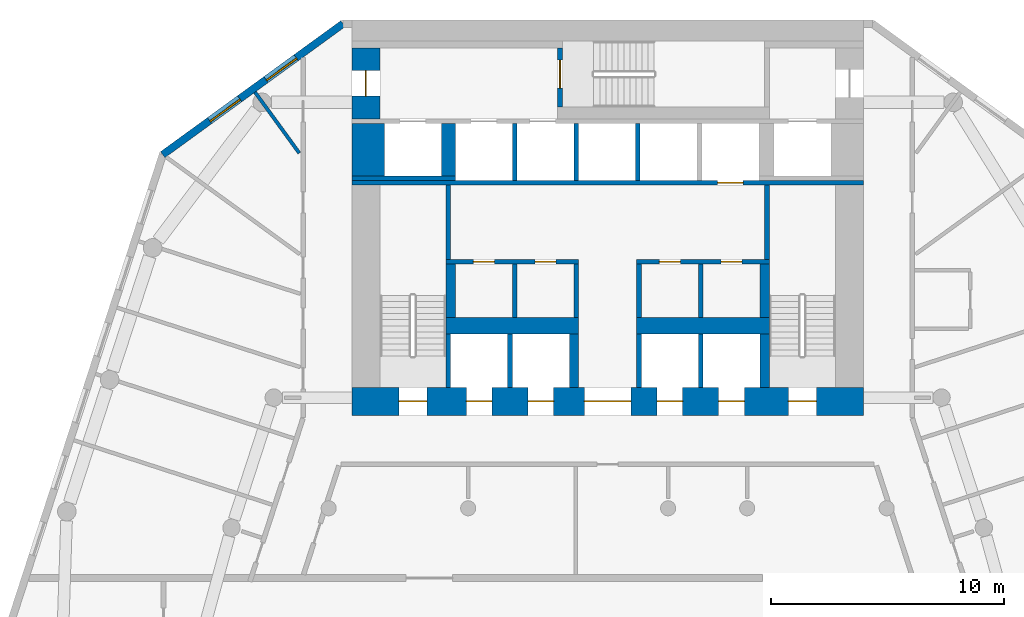
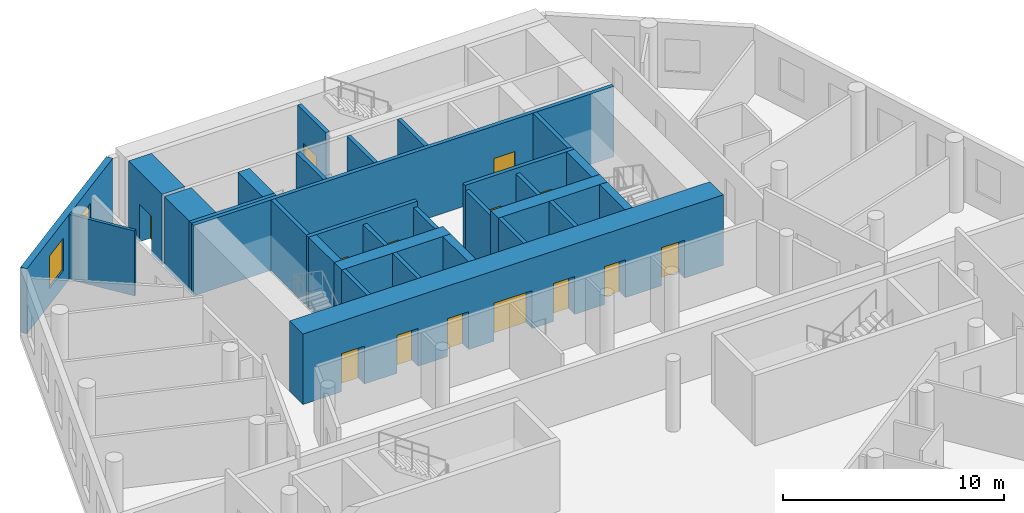
# One storey, part 5 of 9: 30 walls, 14 doors, 2 windows, 16 openings.
"""IFC4 building model written with IfcOpenShell, lengths in metres."""

from ifc_helpers import new_model, si_unit, direction, frame, frame_2d, origin, place, context, subcontext, project, spatial, rectangle, extrude, material, layer, layer_set, type_object, element, fill, save


model = new_model("IFC4")

# Units and contexts
model_context = context("Model", 3, precision=1e-05, world=origin(), true_north=direction((0.0, 1.0)))
body_context = subcontext(model_context, "Body", "Model", "MODEL_VIEW")
ifc_project = project(units=[si_unit("LENGTHUNIT", "METRE"), si_unit("AREAUNIT", "SQUARE_METRE"), si_unit("VOLUMEUNIT", "CUBIC_METRE"), si_unit("PLANEANGLEUNIT", "RADIAN"), si_unit("MASSUNIT", "GRAM", prefix="KILO")], contexts=[model_context])

# Site, building, storey
site_placement = place(None, origin())
site = spatial("IfcSite", under=ifc_project, at=site_placement, CompositionType="ELEMENT")
building_placement = place(site_placement, origin())
building = spatial("IfcBuilding", under=site, at=building_placement, Name="White Candle Pilgrim Tower", CompositionType="ELEMENT")
storey_placement = place(building_placement, frame((0.0, 0.0, 46.800048828125)))
storey = spatial("IfcBuildingStorey", under=building, at=storey_placement, Name="L08", CompositionType="ELEMENT", Elevation=46.800048828125)

# Wall, opening, door
ifc_material_1 = material(Name="Concrete C70/85", Category="concrete")
ifc_layer_1 = layer(ifc_material_1, 1.199951171875)
ifc_layer_set_1 = layer_set([ifc_layer_1], Name="Core wall 1200 mm Concrete C70/85")
wall_type_1 = type_object("IfcWallType", Name="Core wall 1200 mm Concrete C70/85", PredefinedType="SHEAR", material=ifc_layer_set_1)
wall_1_placement = place(storey_placement, frame((59.60009765625, 83.75, 0.0), z_axis=(0.0, 0.0, 1.0), x_axis=(0.0, 1.0, 0.0)))
wall_1 = element("IfcWall", 1, at=wall_1_placement, inside=storey, type_object=wall_type_1, Name="WL-L08-C44", PredefinedType="SHEAR", context=body_context, shape_type="SweptSolid", body=[
    extrude(rectangle(XDim=3.050048828125, YDim=1.199951171875, at=frame_2d((1.52490234375, 0.0))), origin(), (0.0, 0.0, 1.0), 3.89990234375),
])
opening_1_placement = place(wall_1_placement, frame((0.97509765625, 0.0, 0.0)))
opening_1 = element("IfcOpeningElement", 2, at=opening_1_placement, cuts=wall_1, Name="Opening T02-005", PredefinedType="OPENING", context=body_context, shape_type="SweptSolid", body=[
    extrude(rectangle(XDim=1.10009765625, YDim=2.10009765625, at=frame_2d((0.550048828125, 1.050048828125))), frame((0.0, 0.60986328125, 0.0), z_axis=(0.0, -1.0, 0.0), x_axis=(1.0, 0.0, 0.0)), (0.0, 0.0, 1.0), 1.219970703125),
])
ifc_material_2 = material(Name="Steel door leaf", Category="steel")
door_type_1 = type_object("IfcDoorType", Name="Fire door 1100 x 2100 EI 60", OperationType="NOTDEFINED", PredefinedType="DOOR", material=ifc_material_2)
door_1_placement = place(opening_1_placement, origin())
door_1 = element("IfcDoor", 3, at=door_1_placement, inside=storey, type_object=door_type_1, Name="Door T02-005", OperationType="SINGLE_SWING_LEFT", OverallHeight=2.10009765625, OverallWidth=1.10009765625, PredefinedType="DOOR", context=body_context, shape_type="SweptSolid", body=[
    extrude(rectangle(XDim=1.10009765625, YDim=2.10009765625, at=frame_2d((0.550048828125, 1.050048828125))), frame((0.0, 0.02490234375, 0.0), z_axis=(0.0, -1.0, 0.0), x_axis=(1.0, 0.0, 0.0)), (0.0, 0.0, 1.0), 0.050048828125),
])
fill(opening_1, door_1)

# Walls
ifc_layer_2 = layer(ifc_material_1, 1.39990234375)
ifc_layer_set_2 = layer_set([ifc_layer_2], Name="Core wall 1400 mm Concrete C70/85")
wall_type_2 = type_object("IfcWallType", Name="Core wall 1400 mm Concrete C70/85", PredefinedType="SHEAR", material=ifc_layer_set_2)
wall_2_placement = place(storey_placement, frame((59.699951171875, 81.300048828125, 0.0), z_axis=(0.0, 0.0, 1.0), x_axis=(0.0, 1.0, 0.0)))
element("IfcWall", 4, at=wall_2_placement, inside=storey, type_object=wall_type_2, Name="WL-L08-C39", PredefinedType="SHEAR", context=body_context, shape_type="SweptSolid", body=[
    extrude(rectangle(XDim=2.25, YDim=1.39990234375, at=frame_2d((1.125, 0.0))), origin(), (0.0, 0.0, 1.0), 3.89990234375),
])
ifc_layer_3 = layer(ifc_material_1, 0.199951171875)
ifc_layer_set_3 = layer_set([ifc_layer_3], Name="Core wall 200 mm Concrete C70/85")
wall_type_3 = type_object("IfcWallType", Name="Core wall 200 mm Concrete C70/85", PredefinedType="SHEAR", material=ifc_layer_set_3)
wall_3_placement = place(storey_placement, frame((59.0, 81.199951171875, 0.0), z_axis=(0.0, 0.0, 1.0), x_axis=(1.0, 0.0, 0.0)))
element("IfcWall", 5, at=wall_3_placement, inside=storey, type_object=wall_type_3, Name="WL-L08-C33", PredefinedType="SHEAR", context=body_context, shape_type="SweptSolid", body=[
    extrude(rectangle(XDim=4.449951171875, YDim=0.199951171875, at=frame_2d((2.22509765625, 0.0))), origin(), (0.0, 0.0, 1.0), 3.89990234375),
])

# Wall, openings, windows
ifc_material_3 = material(Name="Precast concrete C40/50", Category="concrete")
ifc_layer_4 = layer(ifc_material_3, 0.320068359375)
ifc_layer_set_4 = layer_set([ifc_layer_4], Name="Facade wall EW1 precast concrete C40/50 pier wall with timber-lined reveals")
wall_type_4 = type_object("IfcWallType", Name="Facade wall EW1 precast concrete C40/50 pier wall with timber-lined reveals", PredefinedType="SOLIDWALL", material=ifc_layer_set_4)
wall_4_placement = place(storey_placement, frame((58.614990234375, 87.840087890625, 0.0), z_axis=(0.0, 0.0, 1.0), x_axis=(-0.809021430096, -0.587779146998, 0.0)))
wall_4 = element("IfcWall", 6, at=wall_4_placement, inside=storey, type_object=wall_type_4, Name="Facade wall L08 NW chamfer", PredefinedType="SOLIDWALL", context=body_context, shape_type="SweptSolid", body=[
    extrude(rectangle(XDim=9.57958984375, YDim=0.320068359375, at=frame_2d((4.789794921875, 0.0))), origin(), (0.0, 0.0, 1.0), 3.599853515625),
])
opening_2_placement = place(wall_4_placement, frame((2.48974609375, 0.0, 0.89990234375)))
opening_2 = element("IfcOpeningElement", 7, at=opening_2_placement, cuts=wall_4, Name="Opening W2", PredefinedType="OPENING", context=body_context, shape_type="SweptSolid", body=[
    extrude(rectangle(XDim=1.60009765625, YDim=1.800048828125, at=frame_2d((0.800048828125, 0.89990234375))), frame((0.0, 0.169921875, 0.0), z_axis=(0.0, -1.0, 0.0), x_axis=(1.0, 0.0, 0.0)), (0.0, 0.0, 1.0), 0.340087890625),
])
opening_3_placement = place(wall_4_placement, frame((5.48974609375, 0.0, 0.89990234375)))
opening_3 = element("IfcOpeningElement", 8, at=opening_3_placement, cuts=wall_4, Name="Opening W2", PredefinedType="OPENING", context=body_context, shape_type="SweptSolid", body=[
    extrude(rectangle(XDim=1.60009765625, YDim=1.800048828125, at=frame_2d((0.800048828125, 0.89990234375))), frame((0.0, 0.169921875, 0.0), z_axis=(0.0, -1.0, 0.0), x_axis=(1.0, 0.0, 0.0)), (0.0, 0.0, 1.0), 0.340087890625),
])
ifc_material_4 = material(Name="Timber frame with triple glazing", Category="wood")
window_type = type_object("IfcWindowType", Name="Window W2 1600x1800 timber frame triple glazing", PartitioningType="SINGLE_PANEL", PredefinedType="WINDOW", material=ifc_material_4)
window_1_placement = place(opening_2_placement, origin())
window_1 = element("IfcWindow", 9, at=window_1_placement, inside=storey, type_object=window_type, Name="Window W2 L08 NW chamfer 1", OverallHeight=1.800048828125, OverallWidth=1.60009765625, PartitioningType="SINGLE_PANEL", PredefinedType="WINDOW", context=body_context, shape_type="SweptSolid", body=[
    extrude(rectangle(XDim=1.60009765625, YDim=1.800048828125, at=frame_2d((0.800048828125, 0.89990234375))), frame((0.0, 0.070068359375, 0.0), z_axis=(0.0, -1.0, 0.0), x_axis=(1.0, 0.0, 0.0)), (0.0, 0.0, 1.0), 0.06005859375),
])
fill(opening_2, window_1)
window_2_placement = place(opening_3_placement, origin())
window_2 = element("IfcWindow", 10, at=window_2_placement, inside=storey, type_object=window_type, Name="Window W2 L08 NW chamfer 2", OverallHeight=1.800048828125, OverallWidth=1.60009765625, PartitioningType="SINGLE_PANEL", PredefinedType="WINDOW", context=body_context, shape_type="SweptSolid", body=[
    extrude(rectangle(XDim=1.60009765625, YDim=1.800048828125, at=frame_2d((0.800048828125, 0.89990234375))), frame((0.0, 0.070068359375, 0.0), z_axis=(0.0, -1.0, 0.0), x_axis=(1.0, 0.0, 0.0)), (0.0, 0.0, 1.0), 0.06005859375),
])
fill(opening_3, window_2)

# Walls
ifc_material_5 = material(Name="Gypsum board on steel studs", Category="steel")
ifc_layer_5 = layer(ifc_material_5, 0.199951171875)
ifc_layer_set_5 = layer_set([ifc_layer_5], Name="Lobby wall 200 mm EI 60")
wall_type_5 = type_object("IfcWallType", Name="Lobby wall 200 mm EI 60", PredefinedType="PARTITIONING", material=ifc_layer_set_5)
for number, where, z_axis, x_axis, name in (
    (11, (66.0, 75.199951171875, 0.0), (0.0, 0.0, 1.0), (0.0, 1.0, 0.0), "WL-L08-C23"),
    (12, (68.64990234375, 75.199951171875, 0.0), (0.0, 0.0, 1.0), (0.0, 1.0, 0.0), "WL-L08-C24"),
    (13, (71.35009765625, 75.199951171875, 0.0), (0.0, 0.0, 1.0), (0.0, 1.0, 0.0), "WL-L08-C25"),
    (14, (74.0, 75.199951171875, 0.0), (0.0, 0.0, 1.0), (0.0, 1.0, 0.0), "WL-L08-C26"),
):
    element("IfcWall", number, at=place(storey_placement, frame(where, z_axis=z_axis, x_axis=x_axis)), inside=storey, type_object=wall_type_5, Name=name, PredefinedType="PARTITIONING", context=body_context, shape_type="SweptSolid", body=[
        extrude(rectangle(XDim=2.300048828125, YDim=0.199951171875, at=frame_2d((1.14990234375, 0.0))), origin(), (0.0, 0.0, 1.0), 3.599853515625),
    ])
ifc_layer_6 = layer(ifc_material_5, 0.14990234375)
ifc_layer_set_6 = layer_set([ifc_layer_6], Name="Partition 150 mm EI 60")
wall_type_6 = type_object("IfcWallType", Name="Partition 150 mm EI 60", PredefinedType="PARTITIONING", material=ifc_layer_set_6)
wall_5_placement = place(storey_placement, frame((54.833984375, 84.895263671875, 0.0), z_axis=(0.0, 0.0, 1.0), x_axis=(0.587795442354, -0.809009590764, 0.0)))
element("IfcWall", 15, at=wall_5_placement, inside=storey, type_object=wall_type_6, Name="WL-L08-P024", PredefinedType="PARTITIONING", context=body_context, shape_type="SweptSolid", body=[
    extrude(rectangle(XDim=3.241455078125, YDim=0.14990234375, at=frame_2d((1.62060546875, 0.0))), origin(), (0.0, 0.0, 1.0), 3.599853515625),
])
ifc_layer_7 = layer(ifc_material_1, 0.199951171875)
ifc_layer_set_7 = layer_set([ifc_layer_7], Name="Shaft wall 200 mm Concrete C70/85")
wall_type_7 = type_object("IfcWallType", Name="Shaft wall 200 mm Concrete C70/85", PredefinedType="SHEAR", material=ifc_layer_set_7)
for number, where, z_axis, x_axis, name in (
    (16, (65.800048828125, 72.199951171875, 0.0), (0.0, 0.0, 1.0), (0.0, 1.0, 0.0), "WL-L08-C14"),
    (17, (71.35009765625, 72.199951171875, 0.0), (0.0, 0.0, 1.0), (0.0, 1.0, 0.0), "WL-L08-C16"),
    (18, (74.0, 72.199951171875, 0.0), (0.0, 0.0, 1.0), (0.0, 1.0, 0.0), "WL-L08-C17"),
):
    element("IfcWall", number, at=place(storey_placement, frame(where, z_axis=z_axis, x_axis=x_axis)), inside=storey, type_object=wall_type_7, Name=name, PredefinedType="SHEAR", context=body_context, shape_type="SweptSolid", body=[
        extrude(rectangle(XDim=2.300048828125, YDim=0.199951171875, at=frame_2d((1.14990234375, 0.0))), origin(), (0.0, 0.0, 1.0), 3.89990234375),
    ])
for number, where, z_axis, x_axis, name in (
    (19, (66.0, 81.10009765625, 0.0), (0.0, 0.0, 1.0), (0.0, 1.0, 0.0), "WL-L08-C34"),
    (20, (68.64990234375, 81.10009765625, 0.0), (0.0, 0.0, 1.0), (0.0, 1.0, 0.0), "WL-L08-C35"),
    (21, (71.300048828125, 81.10009765625, 0.0), (0.0, 0.0, 1.0), (0.0, 1.0, 0.0), "WL-L08-C36"),
):
    element("IfcWall", number, at=place(storey_placement, frame(where, z_axis=z_axis, x_axis=x_axis)), inside=storey, type_object=wall_type_7, Name=name, PredefinedType="SHEAR", context=body_context, shape_type="SweptSolid", body=[
        extrude(rectangle(XDim=2.449951171875, YDim=0.199951171875, at=frame_2d((1.22509765625, 0.0))), origin(), (0.0, 0.0, 1.0), 3.89990234375),
    ])
ifc_layer_8 = layer(ifc_material_1, 0.39990234375)
ifc_layer_set_8 = layer_set([ifc_layer_8], Name="Shaft wall 400 mm Concrete C70/85")
wall_type_8 = type_object("IfcWallType", Name="Shaft wall 400 mm Concrete C70/85", PredefinedType="SHEAR", material=ifc_layer_set_8)
wall_6_placement = place(storey_placement, frame((68.550048828125, 72.199951171875, 0.0), z_axis=(0.0, 0.0, 1.0), x_axis=(0.0, 1.0, 0.0)))
element("IfcWall", 22, at=wall_6_placement, inside=storey, type_object=wall_type_8, Name="WL-L08-C15", PredefinedType="SHEAR", context=body_context, shape_type="SweptSolid", body=[
    extrude(rectangle(XDim=2.300048828125, YDim=0.39990234375, at=frame_2d((1.14990234375, 0.0))), origin(), (0.0, 0.0, 1.0), 3.89990234375),
])
ifc_layer_9 = layer(ifc_material_1, 0.60009765625)
ifc_layer_set_9 = layer_set([ifc_layer_9], Name="Shaft wall 600 mm Concrete C70/85")
wall_type_9 = type_object("IfcWallType", Name="Shaft wall 600 mm Concrete C70/85", PredefinedType="SHEAR", material=ifc_layer_set_9)
wall_7_placement = place(storey_placement, frame((63.14990234375, 81.300048828125, 0.0), z_axis=(0.0, 0.0, 1.0), x_axis=(0.0, 1.0, 0.0)))
element("IfcWall", 23, at=wall_7_placement, inside=storey, type_object=wall_type_9, Name="WL-L08-C40", PredefinedType="SHEAR", context=body_context, shape_type="SweptSolid", body=[
    extrude(rectangle(XDim=2.25, YDim=0.60009765625, at=frame_2d((1.125, 0.0))), origin(), (0.0, 0.0, 1.0), 3.89990234375),
])

# Wall, openings, doors
ifc_layer_10 = layer(ifc_material_1, 1.199951171875)
ifc_layer_set_10 = layer_set([ifc_layer_10], Name="Stair shaft wall 1200 mm Concrete C70/85")
wall_type_10 = type_object("IfcWallType", Name="Stair shaft wall 1200 mm Concrete C70/85", PredefinedType="SHEAR", material=ifc_layer_set_10)
wall_8_placement = place(storey_placement, frame((59.0, 71.60009765625, 0.0), z_axis=(0.0, 0.0, 1.0), x_axis=(1.0, 0.0, 0.0)))
wall_8 = element("IfcWall", 24, at=wall_8_placement, inside=storey, type_object=wall_type_10, Name="WL-L08-C11", PredefinedType="SHEAR", context=body_context, shape_type="SweptSolid", body=[
    extrude(rectangle(XDim=22.0, YDim=1.199951171875, at=frame_2d((11.0, 0.0))), origin(), (0.0, 0.0, 1.0), 3.89990234375),
])
opening_4_placement = place(wall_8_placement, frame((2.02490234375, 0.0, 0.0)))
opening_4 = element("IfcOpeningElement", 25, at=opening_4_placement, cuts=wall_8, Name="Opening T02-001", PredefinedType="OPENING", context=body_context, shape_type="SweptSolid", body=[
    extrude(rectangle(XDim=1.199951171875, YDim=2.10009765625, at=frame_2d((0.60009765625, 1.050048828125))), frame((0.0, 0.60986328125, 0.0), z_axis=(0.0, -1.0, 0.0), x_axis=(1.0, 0.0, 0.0)), (0.0, 0.0, 1.0), 1.219970703125),
])
opening_5_placement = place(wall_8_placement, frame((18.77490234375, 0.0, 0.0)))
opening_5 = element("IfcOpeningElement", 26, at=opening_5_placement, cuts=wall_8, Name="Opening T02-002", PredefinedType="OPENING", context=body_context, shape_type="SweptSolid", body=[
    extrude(rectangle(XDim=1.199951171875, YDim=2.10009765625, at=frame_2d((0.60009765625, 1.050048828125))), frame((0.0, 0.60986328125, 0.0), z_axis=(0.0, -1.0, 0.0), x_axis=(1.0, 0.0, 0.0)), (0.0, 0.0, 1.0), 1.219970703125),
])
opening_6_placement = place(wall_8_placement, frame((10.0, 0.0, 0.0)))
opening_6 = element("IfcOpeningElement", 27, at=opening_6_placement, cuts=wall_8, Name="Opening T02-004", PredefinedType="OPENING", context=body_context, shape_type="SweptSolid", body=[
    extrude(rectangle(XDim=2.0, YDim=2.10009765625, at=frame_2d((1.0, 1.050048828125))), frame((0.0, 0.60986328125, 0.0), z_axis=(0.0, -1.0, 0.0), x_axis=(1.0, 0.0, 0.0)), (0.0, 0.0, 1.0), 1.219970703125),
])
opening_7_placement = place(wall_8_placement, frame((4.925048828125, 0.0, 0.0)))
opening_7 = element("IfcOpeningElement", 28, at=opening_7_placement, cuts=wall_8, Name="Opening T02-014", PredefinedType="OPENING", context=body_context, shape_type="SweptSolid", body=[
    extrude(rectangle(XDim=1.10009765625, YDim=2.10009765625, at=frame_2d((0.550048828125, 1.050048828125))), frame((0.0, 0.60986328125, 0.0), z_axis=(0.0, -1.0, 0.0), x_axis=(1.0, 0.0, 0.0)), (0.0, 0.0, 1.0), 1.219970703125),
])
opening_8_placement = place(wall_8_placement, frame((7.574951171875, 0.0, 0.0)))
opening_8 = element("IfcOpeningElement", 29, at=opening_8_placement, cuts=wall_8, Name="Opening T02-015", PredefinedType="OPENING", context=body_context, shape_type="SweptSolid", body=[
    extrude(rectangle(XDim=1.10009765625, YDim=2.10009765625, at=frame_2d((0.550048828125, 1.050048828125))), frame((0.0, 0.60986328125, 0.0), z_axis=(0.0, -1.0, 0.0), x_axis=(1.0, 0.0, 0.0)), (0.0, 0.0, 1.0), 1.219970703125),
])
opening_9_placement = place(wall_8_placement, frame((13.125, 0.0, 0.0)))
opening_9 = element("IfcOpeningElement", 30, at=opening_9_placement, cuts=wall_8, Name="Opening T02-016", PredefinedType="OPENING", context=body_context, shape_type="SweptSolid", body=[
    extrude(rectangle(XDim=1.10009765625, YDim=2.10009765625, at=frame_2d((0.550048828125, 1.050048828125))), frame((0.0, 0.60986328125, 0.0), z_axis=(0.0, -1.0, 0.0), x_axis=(1.0, 0.0, 0.0)), (0.0, 0.0, 1.0), 1.219970703125),
])
opening_10_placement = place(wall_8_placement, frame((15.77490234375, 0.0, 0.0)))
opening_10 = element("IfcOpeningElement", 31, at=opening_10_placement, cuts=wall_8, Name="Opening T02-017", PredefinedType="OPENING", context=body_context, shape_type="SweptSolid", body=[
    extrude(rectangle(XDim=1.10009765625, YDim=2.10009765625, at=frame_2d((0.550048828125, 1.050048828125))), frame((0.0, 0.60986328125, 0.0), z_axis=(0.0, -1.0, 0.0), x_axis=(1.0, 0.0, 0.0)), (0.0, 0.0, 1.0), 1.219970703125),
])
door_type_2 = type_object("IfcDoorType", Name="Fire door 1200 x 2100 EI 60", OperationType="NOTDEFINED", PredefinedType="DOOR", material=ifc_material_2)
door_2_placement = place(opening_4_placement, frame((1.199951171875, 0.0, 0.0), z_axis=(0.0, 0.0, 1.0), x_axis=(-1.0, 0.0, 0.0)))
door_2 = element("IfcDoor", 32, at=door_2_placement, inside=storey, type_object=door_type_2, Name="Door T02-001", OperationType="SINGLE_SWING_RIGHT", OverallHeight=2.10009765625, OverallWidth=1.199951171875, PredefinedType="DOOR", context=body_context, shape_type="SweptSolid", body=[
    extrude(rectangle(XDim=1.199951171875, YDim=2.10009765625, at=frame_2d((0.60009765625, 1.050048828125))), frame((0.0, 0.02490234375, 0.0), z_axis=(0.0, -1.0, 0.0), x_axis=(1.0, 0.0, 0.0)), (0.0, 0.0, 1.0), 0.050048828125),
])
fill(opening_4, door_2)
door_3_placement = place(opening_5_placement, frame((1.199951171875, 0.0, 0.0), z_axis=(0.0, 0.0, 1.0), x_axis=(-1.0, 0.0, 0.0)))
door_3 = element("IfcDoor", 33, at=door_3_placement, inside=storey, type_object=door_type_2, Name="Door T02-002", OperationType="SINGLE_SWING_LEFT", OverallHeight=2.10009765625, OverallWidth=1.199951171875, PredefinedType="DOOR", context=body_context, shape_type="SweptSolid", body=[
    extrude(rectangle(XDim=1.199951171875, YDim=2.10009765625, at=frame_2d((0.60009765625, 1.050048828125))), frame((0.0, 0.02490234375, 0.0), z_axis=(0.0, -1.0, 0.0), x_axis=(1.0, 0.0, 0.0)), (0.0, 0.0, 1.0), 0.050048828125),
])
fill(opening_5, door_3)
door_type_3 = type_object("IfcDoorType", Name="Fire door 2000 x 2100 EI 60", OperationType="NOTDEFINED", PredefinedType="DOOR", material=ifc_material_2)
door_4_placement = place(opening_6_placement, frame((2.0, 0.0, 0.0), z_axis=(0.0, 0.0, 1.0), x_axis=(-1.0, 0.0, 0.0)))
door_4 = element("IfcDoor", 34, at=door_4_placement, inside=storey, type_object=door_type_3, Name="Door T02-004", OperationType="DOUBLE_DOOR_SINGLE_SWING", OverallHeight=2.10009765625, OverallWidth=2.0, PredefinedType="DOOR", context=body_context, shape_type="SweptSolid", body=[
    extrude(rectangle(XDim=2.0, YDim=2.10009765625, at=frame_2d((1.0, 1.050048828125))), frame((0.0, 0.02490234375, 0.0), z_axis=(0.0, -1.0, 0.0), x_axis=(1.0, 0.0, 0.0)), (0.0, 0.0, 1.0), 0.050048828125),
])
fill(opening_6, door_4)
ifc_material_6 = material(Name="Stainless steel", Category="steel")
door_type_4 = type_object("IfcDoorType", Name="Lift landing door 1100 x 2100 E 60", OperationType="DOUBLE_DOOR_SLIDING", PredefinedType="DOOR", material=ifc_material_6)
door_5_placement = place(opening_7_placement, origin())
door_5 = element("IfcDoor", 35, at=door_5_placement, inside=storey, type_object=door_type_4, Name="Door T02-014", OperationType="DOUBLE_DOOR_SLIDING", OverallHeight=2.10009765625, OverallWidth=1.10009765625, PredefinedType="DOOR", context=body_context, shape_type="SweptSolid", body=[
    extrude(rectangle(XDim=1.10009765625, YDim=2.10009765625, at=frame_2d((0.550048828125, 1.050048828125))), frame((0.0, 0.02490234375, 0.0), z_axis=(0.0, -1.0, 0.0), x_axis=(1.0, 0.0, 0.0)), (0.0, 0.0, 1.0), 0.050048828125),
])
fill(opening_7, door_5)
door_6_placement = place(opening_8_placement, origin())
door_6 = element("IfcDoor", 36, at=door_6_placement, inside=storey, type_object=door_type_4, Name="Door T02-015", OperationType="DOUBLE_DOOR_SLIDING", OverallHeight=2.10009765625, OverallWidth=1.10009765625, PredefinedType="DOOR", context=body_context, shape_type="SweptSolid", body=[
    extrude(rectangle(XDim=1.10009765625, YDim=2.10009765625, at=frame_2d((0.550048828125, 1.050048828125))), frame((0.0, 0.02490234375, 0.0), z_axis=(0.0, -1.0, 0.0), x_axis=(1.0, 0.0, 0.0)), (0.0, 0.0, 1.0), 0.050048828125),
])
fill(opening_8, door_6)
door_7_placement = place(opening_9_placement, origin())
door_7 = element("IfcDoor", 37, at=door_7_placement, inside=storey, type_object=door_type_4, Name="Door T02-016", OperationType="DOUBLE_DOOR_SLIDING", OverallHeight=2.10009765625, OverallWidth=1.10009765625, PredefinedType="DOOR", context=body_context, shape_type="SweptSolid", body=[
    extrude(rectangle(XDim=1.10009765625, YDim=2.10009765625, at=frame_2d((0.550048828125, 1.050048828125))), frame((0.0, 0.02490234375, 0.0), z_axis=(0.0, -1.0, 0.0), x_axis=(1.0, 0.0, 0.0)), (0.0, 0.0, 1.0), 0.050048828125),
])
fill(opening_9, door_7)
door_8_placement = place(opening_10_placement, origin())
door_8 = element("IfcDoor", 38, at=door_8_placement, inside=storey, type_object=door_type_4, Name="Door T02-017", OperationType="DOUBLE_DOOR_SLIDING", OverallHeight=2.10009765625, OverallWidth=1.10009765625, PredefinedType="DOOR", context=body_context, shape_type="SweptSolid", body=[
    extrude(rectangle(XDim=1.10009765625, YDim=2.10009765625, at=frame_2d((0.550048828125, 1.050048828125))), frame((0.0, 0.02490234375, 0.0), z_axis=(0.0, -1.0, 0.0), x_axis=(1.0, 0.0, 0.0)), (0.0, 0.0, 1.0), 0.050048828125),
])
fill(opening_10, door_8)

# Wall
ifc_layer_11 = layer(ifc_material_1, 0.199951171875)
ifc_layer_set_11 = layer_set([ifc_layer_11], Name="Stair shaft wall 200 mm Concrete C70/85")
wall_type_11 = type_object("IfcWallType", Name="Stair shaft wall 200 mm Concrete C70/85", PredefinedType="SHEAR", material=ifc_layer_set_11)
wall_9_placement = place(storey_placement, frame((63.14990234375, 72.199951171875, 0.0), z_axis=(0.0, 0.0, 1.0), x_axis=(0.0, 1.0, 0.0)))
element("IfcWall", 39, at=wall_9_placement, inside=storey, type_object=wall_type_11, Name="WL-L08-C13", PredefinedType="SHEAR", context=body_context, shape_type="SweptSolid", body=[
    extrude(rectangle(XDim=2.300048828125, YDim=0.199951171875, at=frame_2d((1.14990234375, 0.0))), origin(), (0.0, 0.0, 1.0), 3.89990234375),
])

# Wall, openings, doors
wall_10_placement = place(storey_placement, frame((63.050048828125, 77.60009765625, 0.0), z_axis=(0.0, 0.0, 1.0), x_axis=(1.0, 0.0, 0.0)))
wall_10 = element("IfcWall", 40, at=wall_10_placement, inside=storey, type_object=wall_type_11, Name="WL-L08-C28", PredefinedType="SHEAR", context=body_context, shape_type="SweptSolid", body=[
    extrude(rectangle(XDim=5.699951171875, YDim=0.199951171875, at=frame_2d((2.85009765625, 0.0))), origin(), (0.0, 0.0, 1.0), 3.89990234375),
])
opening_11_placement = place(wall_10_placement, frame((1.175048828125, 0.0, 0.0)))
opening_11 = element("IfcOpeningElement", 41, at=opening_11_placement, cuts=wall_10, Name="Opening T02-020", PredefinedType="OPENING", context=body_context, shape_type="SweptSolid", body=[
    extrude(rectangle(XDim=0.89990234375, YDim=2.10009765625, at=frame_2d((0.449951171875, 1.050048828125))), frame((0.0, 0.10986328125, 0.0), z_axis=(0.0, -1.0, 0.0), x_axis=(1.0, 0.0, 0.0)), (0.0, 0.0, 1.0), 0.219970703125),
])
opening_12_placement = place(wall_10_placement, frame((3.824951171875, 0.0, 0.0)))
opening_12 = element("IfcOpeningElement", 42, at=opening_12_placement, cuts=wall_10, Name="Opening T02-021", PredefinedType="OPENING", context=body_context, shape_type="SweptSolid", body=[
    extrude(rectangle(XDim=0.89990234375, YDim=2.10009765625, at=frame_2d((0.449951171875, 1.050048828125))), frame((0.0, 0.10986328125, 0.0), z_axis=(0.0, -1.0, 0.0), x_axis=(1.0, 0.0, 0.0)), (0.0, 0.0, 1.0), 0.219970703125),
])
door_type_5 = type_object("IfcDoorType", Name="Fire door 900 x 2100 EI 30", OperationType="NOTDEFINED", PredefinedType="DOOR", material=ifc_material_2)
door_9_placement = place(opening_11_placement, origin())
door_9 = element("IfcDoor", 43, at=door_9_placement, inside=storey, type_object=door_type_5, Name="Door T02-020", OperationType="SINGLE_SWING_RIGHT", OverallHeight=2.10009765625, OverallWidth=0.89990234375, PredefinedType="DOOR", context=body_context, shape_type="SweptSolid", body=[
    extrude(rectangle(XDim=0.89990234375, YDim=2.10009765625, at=frame_2d((0.449951171875, 1.050048828125))), frame((0.0, 0.02490234375, 0.0), z_axis=(0.0, -1.0, 0.0), x_axis=(1.0, 0.0, 0.0)), (0.0, 0.0, 1.0), 0.050048828125),
])
fill(opening_11, door_9)
door_10_placement = place(opening_12_placement, origin())
door_10 = element("IfcDoor", 44, at=door_10_placement, inside=storey, type_object=door_type_5, Name="Door T02-021", OperationType="SINGLE_SWING_LEFT", OverallHeight=2.10009765625, OverallWidth=0.89990234375, PredefinedType="DOOR", context=body_context, shape_type="SweptSolid", body=[
    extrude(rectangle(XDim=0.89990234375, YDim=2.10009765625, at=frame_2d((0.449951171875, 1.050048828125))), frame((0.0, 0.02490234375, 0.0), z_axis=(0.0, -1.0, 0.0), x_axis=(1.0, 0.0, 0.0)), (0.0, 0.0, 1.0), 0.050048828125),
])
fill(opening_12, door_10)

wall_11_placement = place(storey_placement, frame((71.25, 77.60009765625, 0.0), z_axis=(0.0, 0.0, 1.0), x_axis=(1.0, 0.0, 0.0)))
wall_11 = element("IfcWall", 45, at=wall_11_placement, inside=storey, type_object=wall_type_11, Name="WL-L08-C29", PredefinedType="SHEAR", context=body_context, shape_type="SweptSolid", body=[
    extrude(rectangle(XDim=5.699951171875, YDim=0.199951171875, at=frame_2d((2.85009765625, 0.0))), origin(), (0.0, 0.0, 1.0), 3.89990234375),
])
opening_13_placement = place(wall_11_placement, frame((0.97509765625, 0.0, 0.0)))
opening_13 = element("IfcOpeningElement", 46, at=opening_13_placement, cuts=wall_11, Name="Opening T02-022", PredefinedType="OPENING", context=body_context, shape_type="SweptSolid", body=[
    extrude(rectangle(XDim=0.89990234375, YDim=2.10009765625, at=frame_2d((0.449951171875, 1.050048828125))), frame((0.0, 0.10986328125, 0.0), z_axis=(0.0, -1.0, 0.0), x_axis=(1.0, 0.0, 0.0)), (0.0, 0.0, 1.0), 0.219970703125),
])
opening_14_placement = place(wall_11_placement, frame((3.625, 0.0, 0.0)))
opening_14 = element("IfcOpeningElement", 47, at=opening_14_placement, cuts=wall_11, Name="Opening T02-023", PredefinedType="OPENING", context=body_context, shape_type="SweptSolid", body=[
    extrude(rectangle(XDim=0.89990234375, YDim=2.10009765625, at=frame_2d((0.449951171875, 1.050048828125))), frame((0.0, 0.10986328125, 0.0), z_axis=(0.0, -1.0, 0.0), x_axis=(1.0, 0.0, 0.0)), (0.0, 0.0, 1.0), 0.219970703125),
])
door_11_placement = place(opening_13_placement, origin())
door_11 = element("IfcDoor", 48, at=door_11_placement, inside=storey, type_object=door_type_5, Name="Door T02-022", OperationType="SINGLE_SWING_RIGHT", OverallHeight=2.10009765625, OverallWidth=0.89990234375, PredefinedType="DOOR", context=body_context, shape_type="SweptSolid", body=[
    extrude(rectangle(XDim=0.89990234375, YDim=2.10009765625, at=frame_2d((0.449951171875, 1.050048828125))), frame((0.0, 0.02490234375, 0.0), z_axis=(0.0, -1.0, 0.0), x_axis=(1.0, 0.0, 0.0)), (0.0, 0.0, 1.0), 0.050048828125),
])
fill(opening_13, door_11)
door_12_placement = place(opening_14_placement, origin())
door_12 = element("IfcDoor", 49, at=door_12_placement, inside=storey, type_object=door_type_5, Name="Door T02-023", OperationType="SINGLE_SWING_LEFT", OverallHeight=2.10009765625, OverallWidth=0.89990234375, PredefinedType="DOOR", context=body_context, shape_type="SweptSolid", body=[
    extrude(rectangle(XDim=0.89990234375, YDim=2.10009765625, at=frame_2d((0.449951171875, 1.050048828125))), frame((0.0, 0.02490234375, 0.0), z_axis=(0.0, -1.0, 0.0), x_axis=(1.0, 0.0, 0.0)), (0.0, 0.0, 1.0), 0.050048828125),
])
fill(opening_14, door_12)

# Walls
for number, where, z_axis, x_axis, name in (
    (50, (63.14990234375, 77.699951171875, 0.0), (0.0, 0.0, 1.0), (0.0, 1.0, 0.0), "WL-L08-C30"),
    (51, (76.85009765625, 77.699951171875, 0.0), (0.0, 0.0, 1.0), (0.0, 1.0, 0.0), "WL-L08-C31"),
):
    element("IfcWall", number, at=place(storey_placement, frame(where, z_axis=z_axis, x_axis=x_axis)), inside=storey, type_object=wall_type_11, Name=name, PredefinedType="SHEAR", context=body_context, shape_type="SweptSolid", body=[
        extrude(rectangle(XDim=3.199951171875, YDim=0.199951171875, at=frame_2d((1.60009765625, 0.0))), origin(), (0.0, 0.0, 1.0), 3.89990234375),
    ])

# Wall, opening, door
wall_12_placement = place(storey_placement, frame((59.0, 81.0, 0.0), z_axis=(0.0, 0.0, 1.0), x_axis=(1.0, 0.0, 0.0)))
wall_12 = element("IfcWall", 52, at=wall_12_placement, inside=storey, type_object=wall_type_11, Name="WL-L08-C32", PredefinedType="SHEAR", context=body_context, shape_type="SweptSolid", body=[
    extrude(rectangle(XDim=22.0, YDim=0.199951171875, at=frame_2d((11.0, 0.0))), origin(), (0.0, 0.0, 1.0), 3.89990234375),
])
opening_15_placement = place(wall_12_placement, frame((15.72509765625, 0.0, 0.0)))
opening_15 = element("IfcOpeningElement", 53, at=opening_15_placement, cuts=wall_12, Name="Opening T02-013", PredefinedType="OPENING", context=body_context, shape_type="SweptSolid", body=[
    extrude(rectangle(XDim=1.10009765625, YDim=2.10009765625, at=frame_2d((0.550048828125, 1.050048828125))), frame((0.0, 0.10986328125, 0.0), z_axis=(0.0, -1.0, 0.0), x_axis=(1.0, 0.0, 0.0)), (0.0, 0.0, 1.0), 0.219970703125),
])
door_13_placement = place(opening_15_placement, origin())
door_13 = element("IfcDoor", 54, at=door_13_placement, inside=storey, type_object=door_type_4, Name="Door T02-013", OperationType="DOUBLE_DOOR_SLIDING", OverallHeight=2.10009765625, OverallWidth=1.10009765625, PredefinedType="DOOR", context=body_context, shape_type="SweptSolid", body=[
    extrude(rectangle(XDim=1.10009765625, YDim=2.10009765625, at=frame_2d((0.550048828125, 1.050048828125))), frame((0.0, 0.02490234375, 0.0), z_axis=(0.0, -1.0, 0.0), x_axis=(1.0, 0.0, 0.0)), (0.0, 0.0, 1.0), 0.050048828125),
])
fill(opening_15, door_13)

wall_13_placement = place(storey_placement, frame((67.949951171875, 84.25, 0.0), z_axis=(0.0, 0.0, 1.0), x_axis=(0.0, 1.0, 0.0)))
wall_13 = element("IfcWall", 55, at=wall_13_placement, inside=storey, type_object=wall_type_11, Name="WL-L08-C47", PredefinedType="SHEAR", context=body_context, shape_type="SweptSolid", body=[
    extrude(rectangle(XDim=2.550048828125, YDim=0.199951171875, at=frame_2d((1.27490234375, 0.0))), origin(), (0.0, 0.0, 1.0), 3.89990234375),
])
opening_16_placement = place(wall_13_placement, frame((0.824951171875, 0.0, 0.0)))
opening_16 = element("IfcOpeningElement", 56, at=opening_16_placement, cuts=wall_13, Name="Opening T02-003", PredefinedType="OPENING", context=body_context, shape_type="SweptSolid", body=[
    extrude(rectangle(XDim=1.199951171875, YDim=2.10009765625, at=frame_2d((0.60009765625, 1.050048828125))), frame((0.0, 0.10986328125, 0.0), z_axis=(0.0, -1.0, 0.0), x_axis=(1.0, 0.0, 0.0)), (0.0, 0.0, 1.0), 0.219970703125),
])
door_14_placement = place(opening_16_placement, frame((1.199951171875, 0.0, 0.0), z_axis=(0.0, 0.0, 1.0), x_axis=(-1.0, 0.0, 0.0)))
door_14 = element("IfcDoor", 57, at=door_14_placement, inside=storey, type_object=door_type_2, Name="Door T02-003", OperationType="SINGLE_SWING_RIGHT", OverallHeight=2.10009765625, OverallWidth=1.199951171875, PredefinedType="DOOR", context=body_context, shape_type="SweptSolid", body=[
    extrude(rectangle(XDim=1.199951171875, YDim=2.10009765625, at=frame_2d((0.60009765625, 1.050048828125))), frame((0.0, 0.02490234375, 0.0), z_axis=(0.0, -1.0, 0.0), x_axis=(1.0, 0.0, 0.0)), (0.0, 0.0, 1.0), 0.050048828125),
])
fill(opening_16, door_14)

# Walls
ifc_layer_12 = layer(ifc_material_1, 0.39990234375)
ifc_layer_set_12 = layer_set([ifc_layer_12], Name="Stair shaft wall 400 mm Concrete C70/85")
wall_type_12 = type_object("IfcWallType", Name="Stair shaft wall 400 mm Concrete C70/85", PredefinedType="SHEAR", material=ifc_layer_set_12)
for number, where, z_axis, x_axis, name in (
    (58, (76.75, 72.199951171875, 0.0), (0.0, 0.0, 1.0), (0.0, 1.0, 0.0), "WL-L08-C18"),
    (59, (63.25, 75.199951171875, 0.0), (0.0, 0.0, 1.0), (0.0, 1.0, 0.0), "WL-L08-C22"),
    (60, (76.75, 75.199951171875, 0.0), (0.0, 0.0, 1.0), (0.0, 1.0, 0.0), "WL-L08-C27"),
):
    element("IfcWall", number, at=place(storey_placement, frame(where, z_axis=z_axis, x_axis=x_axis)), inside=storey, type_object=wall_type_12, Name=name, PredefinedType="SHEAR", context=body_context, shape_type="SweptSolid", body=[
        extrude(rectangle(XDim=2.300048828125, YDim=0.39990234375, at=frame_2d((1.14990234375, 0.0))), origin(), (0.0, 0.0, 1.0), 3.89990234375),
    ])
ifc_layer_13 = layer(ifc_material_1, 0.699951171875)
ifc_layer_set_13 = layer_set([ifc_layer_13], Name="Stair shaft wall 700 mm Concrete C70/85")
wall_type_13 = type_object("IfcWallType", Name="Stair shaft wall 700 mm Concrete C70/85", PredefinedType="SHEAR", material=ifc_layer_set_13)
for number, where, z_axis, x_axis, name in (
    (61, (63.050048828125, 74.85009765625, 0.0), (0.0, 0.0, 1.0), (1.0, 0.0, 0.0), "WL-L08-C20"),
    (62, (71.25, 74.85009765625, 0.0), (0.0, 0.0, 1.0), (1.0, 0.0, 0.0), "WL-L08-C21"),
):
    element("IfcWall", number, at=place(storey_placement, frame(where, z_axis=z_axis, x_axis=x_axis)), inside=storey, type_object=wall_type_13, Name=name, PredefinedType="SHEAR", context=body_context, shape_type="SweptSolid", body=[
        extrude(rectangle(XDim=5.699951171875, YDim=0.699951171875, at=frame_2d((2.85009765625, 0.0))), origin(), (0.0, 0.0, 1.0), 3.89990234375),
    ])

save(model, "model.ifc")
